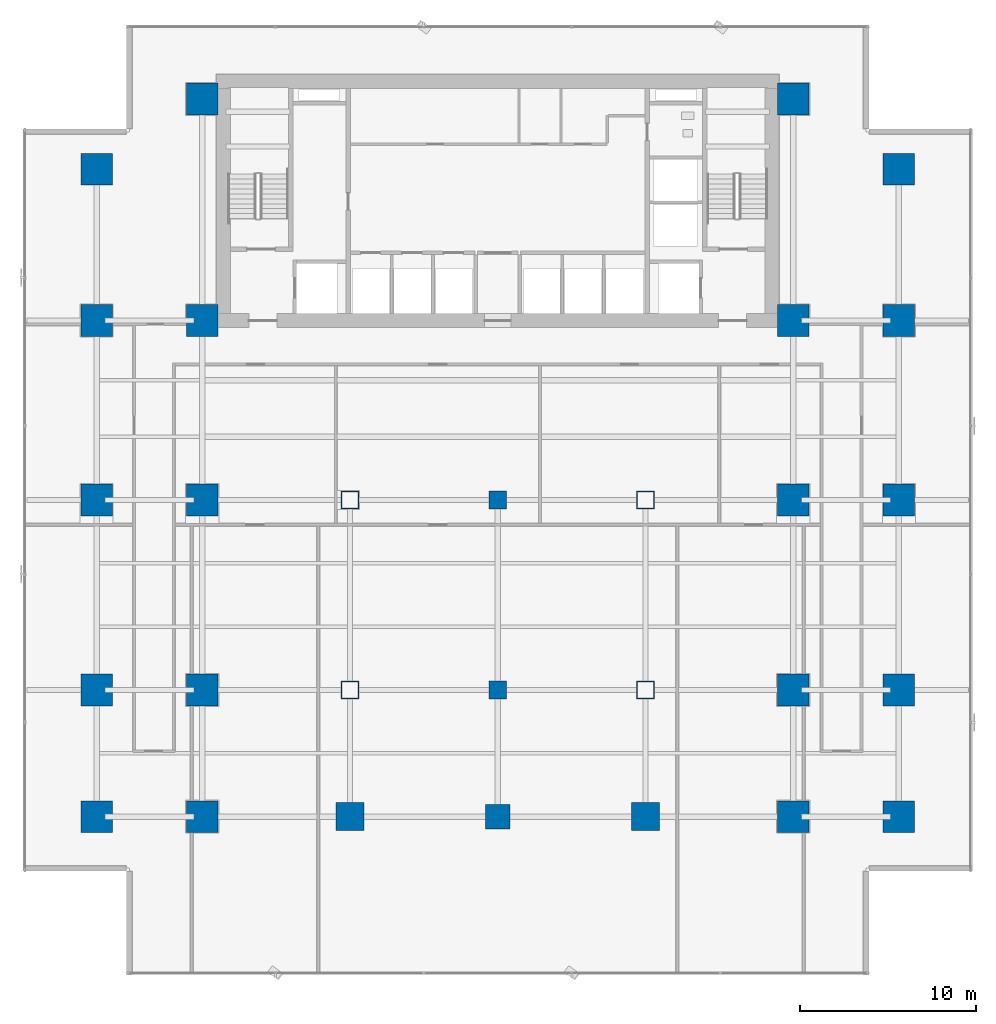
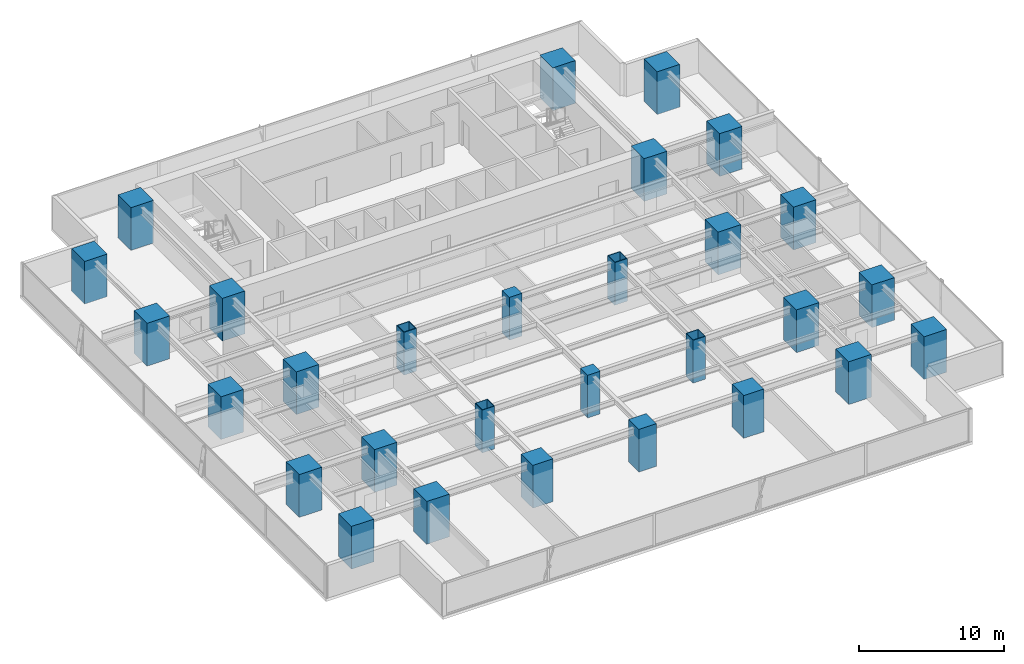
# One storey, part 1 of 32: 29 columns.
"""IFC4 building model written with IfcOpenShell, lengths in metres."""

from ifc_helpers import new_model, si_unit, direction, frame, origin, origin_2d, place, context, subcontext, project, spatial, rectangle, hollow_rectangle, extrude, source, transform, mapped, material, material_profile, profile_set, type_object, element, save


model = new_model("IFC4")

# Units and contexts
model_context = context("Model", 3, precision=1e-05, world=origin(), true_north=direction((0.0, 1.0)))
body_context = subcontext(model_context, "Body", "Model", "MODEL_VIEW")
ifc_project = project(units=[si_unit("LENGTHUNIT", "METRE"), si_unit("AREAUNIT", "SQUARE_METRE"), si_unit("VOLUMEUNIT", "CUBIC_METRE"), si_unit("PLANEANGLEUNIT", "RADIAN"), si_unit("MASSUNIT", "GRAM", prefix="KILO")], contexts=[model_context])

# Site, building, storey
site_placement = place(None, origin())
site = spatial("IfcSite", under=ifc_project, at=site_placement, CompositionType="ELEMENT")
building_placement = place(site_placement, origin())
building = spatial("IfcBuilding", under=site, at=building_placement, Name="Sumidabori Civic Tower", CompositionType="ELEMENT")
storey_placement = place(building_placement, frame((0.0, 0.0, 45.199951171875)))
storey = spatial("IfcBuildingStorey", under=building, at=storey_placement, Name="L11", CompositionType="ELEMENT", Elevation=45.199951171875)

# Columns
ifc_material_1 = material(Name="Concrete C60/75", Category="concrete")
ifc_material_profile_1 = material_profile(ifc_material_1, rectangle(XDim=1.800048828125, YDim=1.800048828125, at=origin_2d()), Name="RC 1800x1800")
ifc_profile_set_1 = profile_set([ifc_material_profile_1], Name="Concrete C60/75")
column_type_1 = type_object("IfcColumnType", Name="CL-MEGA-1800", PredefinedType="COLUMN", material=ifc_profile_set_1)
shared_shape_1 = source(origin(), body_context, "Body", "SweptSolid", [
    extrude(rectangle(XDim=1.800048828125, YDim=1.800048828125, at=origin_2d()), origin(), (0.0, 0.0, 1.0), 3.60009765625),
])
for number, where, z_axis, x_axis, name in (
    (1, (-16.800048828125, -18.0, 0.0), (0.0, 0.0, 1.0), (1.0, 0.0, 0.0), "Column MC-W16-Y18S L11"),
    (2, (-16.800048828125, -10.800048828125, 0.0), (0.0, 0.0, 1.0), (1.0, 0.0, 0.0), "Column MC-W16-Y11S L11"),
    (3, (-16.800048828125, 0.0, 0.0), (0.0, 0.0, 1.0), (1.0, 0.0, 0.0), "Column MC-W16-Y00 L11"),
    (4, (-16.800048828125, 10.199951171875, 0.0), (0.0, 0.0, 1.0), (1.0, 0.0, 0.0), "Column MC-W16-Y10N L11"),
    (5, (-16.800048828125, 22.800048828125, 0.0), (0.0, 0.0, 1.0), (1.0, 0.0, 0.0), "Column MC-W16-Y23N L11"),
    (6, (16.800048828125, -18.0, 0.0), (0.0, 0.0, 1.0), (1.0, 0.0, 0.0), "Column MC-E16-Y18S L11"),
    (7, (16.800048828125, -10.800048828125, 0.0), (0.0, 0.0, 1.0), (1.0, 0.0, 0.0), "Column MC-E16-Y11S L11"),
    (8, (16.800048828125, 0.0, 0.0), (0.0, 0.0, 1.0), (1.0, 0.0, 0.0), "Column MC-E16-Y00 L11"),
    (9, (16.800048828125, 10.199951171875, 0.0), (0.0, 0.0, 1.0), (1.0, 0.0, 0.0), "Column MC-E16-Y10N L11"),
    (10, (16.800048828125, 22.800048828125, 0.0), (0.0, 0.0, 1.0), (1.0, 0.0, 0.0), "Column MC-E16-Y23N L11"),
    (11, (-22.800048828125, -18.0, 0.0), (0.0, 0.0, 1.0), (1.0, 0.0, 0.0), "Column MC-W23-Y18S L11"),
    (12, (-22.800048828125, -10.800048828125, 0.0), (0.0, 0.0, 1.0), (1.0, 0.0, 0.0), "Column MC-W23-Y11S L11"),
    (13, (-22.800048828125, 0.0, 0.0), (0.0, 0.0, 1.0), (1.0, 0.0, 0.0), "Column MC-W23-Y00 L11"),
    (14, (-22.800048828125, 10.199951171875, 0.0), (0.0, 0.0, 1.0), (1.0, 0.0, 0.0), "Column MC-W23-Y10N L11"),
    (15, (-22.800048828125, 18.800048828125, 0.0), (0.0, 0.0, 1.0), (1.0, 0.0, 0.0), "Column MC-W23-Y19N L11"),
    (16, (22.800048828125, -18.0, 0.0), (0.0, 0.0, 1.0), (1.0, 0.0, 0.0), "Column MC-E23-Y18S L11"),
    (17, (22.800048828125, -10.800048828125, 0.0), (0.0, 0.0, 1.0), (1.0, 0.0, 0.0), "Column MC-E23-Y11S L11"),
    (18, (22.800048828125, 0.0, 0.0), (0.0, 0.0, 1.0), (1.0, 0.0, 0.0), "Column MC-E23-Y00 L11"),
    (19, (22.800048828125, 10.199951171875, 0.0), (0.0, 0.0, 1.0), (1.0, 0.0, 0.0), "Column MC-E23-Y10N L11"),
    (20, (22.800048828125, 18.800048828125, 0.0), (0.0, 0.0, 1.0), (1.0, 0.0, 0.0), "Column MC-E23-Y19N L11"),
):
    element("IfcColumn", number, at=place(storey_placement, frame(where, z_axis=z_axis, x_axis=x_axis)), inside=storey, type_object=column_type_1, Name=name, PredefinedType="COLUMN", context=body_context, shape_type="MappedRepresentation", body=[
        mapped(shared_shape_1, transform((0.0, 0.0, 0.0), x_axis=(1.0, 0.0, 0.0), y_axis=(0.0, 1.0, 0.0), z_axis=(0.0, 0.0, 1.0), scale=1.0)),
    ])
ifc_material_profile_2 = material_profile(ifc_material_1, rectangle(XDim=1.60009765625, YDim=1.60009765625, at=origin_2d()), Name="RC 1600x1600")
ifc_profile_set_2 = profile_set([ifc_material_profile_2], Name="Concrete C60/75")
column_type_2 = type_object("IfcColumnType", Name="CL-MEGA-1600", PredefinedType="COLUMN", material=ifc_profile_set_2)
shared_shape_2 = source(origin(), body_context, "Body", "SweptSolid", [
    extrude(rectangle(XDim=1.60009765625, YDim=1.60009765625, at=origin_2d()), origin(), (0.0, 0.0, 1.0), 3.60009765625),
])
for number, where, z_axis, x_axis, name in (
    (21, (-8.39990234375, -18.0, 0.0), (0.0, 0.0, 1.0), (1.0, 0.0, 0.0), "Column MC-W08-Y18S L11"),
    (22, (8.39990234375, -18.0, 0.0), (0.0, 0.0, 1.0), (1.0, 0.0, 0.0), "Column MC-E08-Y18S L11"),
):
    element("IfcColumn", number, at=place(storey_placement, frame(where, z_axis=z_axis, x_axis=x_axis)), inside=storey, type_object=column_type_2, Name=name, PredefinedType="COLUMN", context=body_context, shape_type="MappedRepresentation", body=[
        mapped(shared_shape_2, transform((0.0, 0.0, 0.0), x_axis=(1.0, 0.0, 0.0), y_axis=(0.0, 1.0, 0.0), z_axis=(0.0, 0.0, 1.0), scale=1.0)),
    ])
ifc_material_2 = material(Name="Steel SM570", Category="steel")
ifc_material_profile_3 = material_profile(ifc_material_2, hollow_rectangle(XDim=1.0, YDim=1.0, WallThickness=0.044921875, at=origin_2d()), Name="SHS 1000x1000x45")
ifc_profile_set_3 = profile_set([ifc_material_profile_3], Name="Steel SM570")
column_type_3 = type_object("IfcColumnType", Name="CL-PORTAL-SHS1000", PredefinedType="COLUMN", material=ifc_profile_set_3)
shared_shape_3 = source(origin(), body_context, "Body", "SweptSolid", [
    extrude(hollow_rectangle(XDim=1.0, YDim=1.0, WallThickness=0.044921875, at=origin_2d()), origin(), (0.0, 0.0, 1.0), 3.60009765625),
])
for number, where, z_axis, x_axis, name in (
    (23, (-8.39990234375, 0.0, 0.0), (0.0, 0.0, 1.0), (1.0, 0.0, 0.0), "Column MC-W08-Y00 L11"),
    (24, (-8.39990234375, -10.800048828125, 0.0), (0.0, 0.0, 1.0), (1.0, 0.0, 0.0), "Column MC-W08-Y11S L11"),
    (25, (8.39990234375, 0.0, 0.0), (0.0, 0.0, 1.0), (1.0, 0.0, 0.0), "Column MC-E08-Y00 L11"),
    (26, (8.39990234375, -10.800048828125, 0.0), (0.0, 0.0, 1.0), (1.0, 0.0, 0.0), "Column MC-E08-Y11S L11"),
):
    element("IfcColumn", number, at=place(storey_placement, frame(where, z_axis=z_axis, x_axis=x_axis)), inside=storey, type_object=column_type_3, Name=name, PredefinedType="COLUMN", context=body_context, shape_type="MappedRepresentation", body=[
        mapped(shared_shape_3, transform((0.0, 0.0, 0.0), x_axis=(1.0, 0.0, 0.0), y_axis=(0.0, 1.0, 0.0), z_axis=(0.0, 0.0, 1.0), scale=1.0)),
    ])
ifc_material_profile_4 = material_profile(ifc_material_1, rectangle(XDim=1.39990234375, YDim=1.39990234375, at=origin_2d()), Name="RC 1400x1400")
ifc_profile_set_4 = profile_set([ifc_material_profile_4], Name="Concrete C60/75")
column_type_4 = type_object("IfcColumnType", Name="CL-MEGA-1400", PredefinedType="COLUMN", material=ifc_profile_set_4)
shared_shape_4 = source(origin(), body_context, "Body", "SweptSolid", [
    extrude(rectangle(XDim=1.39990234375, YDim=1.39990234375, at=origin_2d()), origin(), (0.0, 0.0, 1.0), 3.60009765625),
])
column_placement = place(storey_placement, frame((0.0, -18.0, 0.0), z_axis=(0.0, 0.0, 1.0), x_axis=(1.0, 0.0, 0.0)))
element("IfcColumn", 27, at=column_placement, inside=storey, type_object=column_type_4, Name="Column MC-C00-Y18S L11", PredefinedType="COLUMN", context=body_context, shape_type="MappedRepresentation", body=[
    mapped(shared_shape_4, transform((0.0, 0.0, 0.0), x_axis=(1.0, 0.0, 0.0), y_axis=(0.0, 1.0, 0.0), z_axis=(0.0, 0.0, 1.0), scale=1.0)),
])
ifc_material_3 = material(Name="Concrete C50/60", Category="concrete")
ifc_material_profile_5 = material_profile(ifc_material_3, rectangle(XDim=1.0, YDim=1.0, at=origin_2d()), Name="RC 1000x1000")
ifc_profile_set_5 = profile_set([ifc_material_profile_5], Name="Concrete C50/60")
column_type_5 = type_object("IfcColumnType", Name="CL-INT-1000", PredefinedType="COLUMN", material=ifc_profile_set_5)
shared_shape_5 = source(origin(), body_context, "Body", "SweptSolid", [
    extrude(rectangle(XDim=1.0, YDim=1.0, at=origin_2d()), origin(), (0.0, 0.0, 1.0), 3.60009765625),
])
for number, where, z_axis, x_axis, name in (
    (28, (0.0, -10.800048828125, 0.0), (0.0, 0.0, 1.0), (1.0, 0.0, 0.0), "Column MC-C00-Y11S L11"),
    (29, (0.0, 0.0, 0.0), (0.0, 0.0, 1.0), (1.0, 0.0, 0.0), "Column MC-C00-Y00 L11"),
):
    element("IfcColumn", number, at=place(storey_placement, frame(where, z_axis=z_axis, x_axis=x_axis)), inside=storey, type_object=column_type_5, Name=name, PredefinedType="COLUMN", context=body_context, shape_type="MappedRepresentation", body=[
        mapped(shared_shape_5, transform((0.0, 0.0, 0.0), x_axis=(1.0, 0.0, 0.0), y_axis=(0.0, 1.0, 0.0), z_axis=(0.0, 0.0, 1.0), scale=1.0)),
    ])

save(model, "model.ifc")
